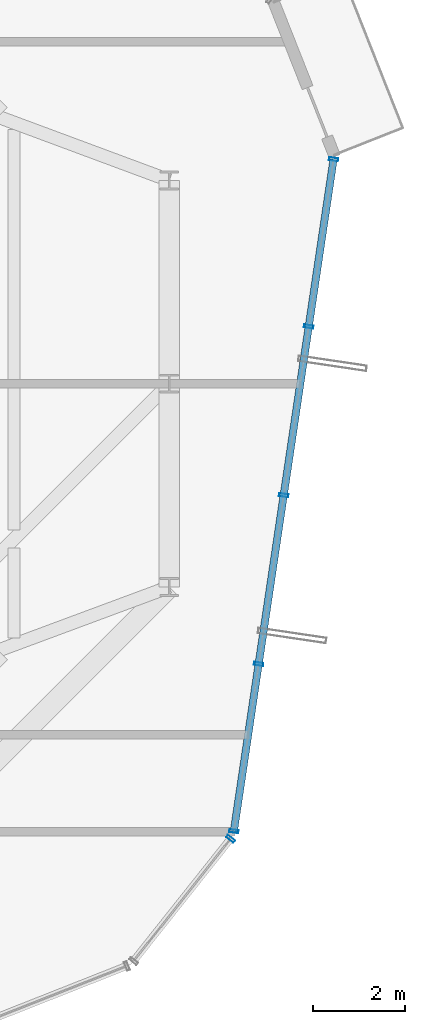
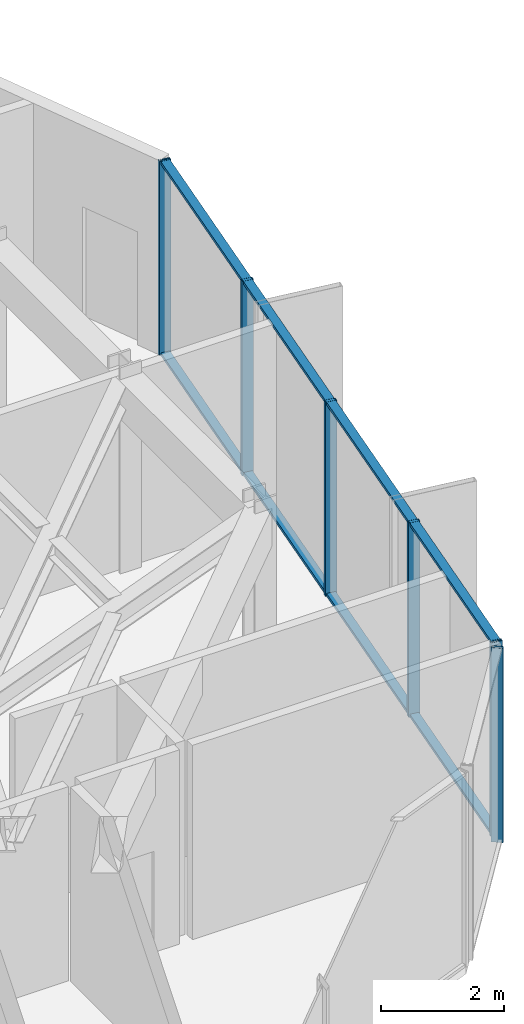
# One storey, part 13 of 22: 8 members, 2 elements without a shape of their own.
"""IFC4 building model written with IfcOpenShell, lengths in metres."""

from ifc_helpers import new_model, si_unit, direction, frame, origin, origin_2d, place, context, subcontext, project, spatial, hollow_rectangle, extrude, source, transform, mapped, material, layer, layer_set, material_profile, profile_set, type_object, element, aggregate, save


model = new_model("IFC4")

# Units and contexts
model_context = context("Model", 3, precision=1e-05, world=origin(), true_north=direction((0.0, 1.0)))
body_context = subcontext(model_context, "Body", "Model", "MODEL_VIEW")
ifc_project = project(units=[si_unit("LENGTHUNIT", "METRE"), si_unit("AREAUNIT", "SQUARE_METRE"), si_unit("VOLUMEUNIT", "CUBIC_METRE"), si_unit("PLANEANGLEUNIT", "RADIAN"), si_unit("MASSUNIT", "GRAM", prefix="KILO")], contexts=[model_context])

# Site, building, storey
site_placement = place(None, origin())
site = spatial("IfcSite", under=ifc_project, at=site_placement, CompositionType="ELEMENT")
building_placement = place(site_placement, origin())
building = spatial("IfcBuilding", under=site, at=building_placement, Name="Veraguas Prism Commons", CompositionType="ELEMENT")
storey_placement = place(building_placement, frame((0.0, 0.0, 236.550048828125)))
storey = spatial("IfcBuildingStorey", under=building, at=storey_placement, Name="L67", CompositionType="ELEMENT", Elevation=236.550048828125)

# Curtain wall, members
ifc_material = material(Name="Anodised aluminium EN AW-6063 T6", Category="aluminium")
ifc_layer = layer(ifc_material, 0.199951171875, Name="Sky Lobby and Pool Acoustic Curtain Wall", Category="aluminium")
ifc_layer_set = layer_set([ifc_layer], Name="Anodised aluminium EN AW-6063 T6")
curtain_wall_type = type_object("IfcCurtainWallType", Name="Sky Lobby and Pool Acoustic Curtain Wall", PredefinedType="NOTDEFINED", material=ifc_layer_set)
curtain_wall_1_placement = place(storey_placement, origin())
curtain_wall_1 = element("IfcCurtainWall", 1, at=curtain_wall_1_placement, inside=storey, type_object=curtain_wall_type, Name="Tower Facade Curtain Wall L67-F6", PredefinedType="NOTDEFINED")
ifc_material_profile_1 = material_profile(ifc_material, hollow_rectangle(XDim=0.06494140625, YDim=0.199951171875, WallThickness=0.00390625, at=origin_2d()), Name="AL65X200X4")
ifc_profile_set_1 = profile_set([ifc_material_profile_1], Name="Anodised aluminium EN AW-6063 T6")
member_type_1 = type_object("IfcMemberType", Name="Curtain Wall Mullion Heavy AL 65x200x4", PredefinedType="MULLION", material=ifc_profile_set_1)
shared_shape_1 = source(origin(), body_context, "Body", "SweptSolid", [
    extrude(hollow_rectangle(XDim=0.06494140625, YDim=0.199951171875, WallThickness=0.00390625, at=origin_2d()), origin(), (0.0, 0.0, 1.0), 3.864990234375),
])
member_1_placement = place(storey_placement, frame((39.197265625, 14.31396484375, 0.0), z_axis=(0.0, 0.0, 1.0), x_axis=(0.146773635283, 0.989170106698, 0.0)))
member_1 = element("IfcMember", 2, at=member_1_placement, type_object=member_type_1, Name="CW-SKY Mullion 1", PredefinedType="MULLION", context=body_context, shape_type="MappedRepresentation", body=[
    mapped(shared_shape_1, transform((0.0, 0.0, 0.0), scale=1.0)),
])
member_2_placement = place(storey_placement, frame((39.734375, 17.933349609375, 0.0), z_axis=(0.0, 0.0, 1.0), x_axis=(0.146773635283, 0.989170106698, 0.0)))
member_2 = element("IfcMember", 3, at=member_2_placement, type_object=member_type_1, Name="CW-SKY Mullion 2", PredefinedType="MULLION", context=body_context, shape_type="MappedRepresentation", body=[
    mapped(shared_shape_1, transform((0.0, 0.0, 0.0), scale=1.0)),
])
member_3_placement = place(storey_placement, frame((40.2763671875, 21.5849609375, 0.0), z_axis=(0.0, 0.0, 1.0), x_axis=(0.146773635283, 0.989170106698, 0.0)))
member_3 = element("IfcMember", 4, at=member_3_placement, type_object=member_type_1, Name="CW-SKY Mullion 3", PredefinedType="MULLION", context=body_context, shape_type="MappedRepresentation", body=[
    mapped(shared_shape_1, transform((0.0, 0.0, 0.0), scale=1.0)),
])
member_4_placement = place(storey_placement, frame((40.818115234375, 25.236572265625, 0.0), z_axis=(0.0, 0.0, 1.0), x_axis=(0.146773635283, 0.989170106698, 0.0)))
member_4 = element("IfcMember", 5, at=member_4_placement, type_object=member_type_1, Name="CW-SKY Mullion 4", PredefinedType="MULLION", context=body_context, shape_type="MappedRepresentation", body=[
    mapped(shared_shape_1, transform((0.0, 0.0, 0.0), scale=1.0)),
])
member_5_placement = place(storey_placement, frame((41.355224609375, 28.85595703125, 0.0), z_axis=(0.0, 0.0, 1.0), x_axis=(0.146773635283, 0.989170106698, 0.0)))
member_5 = element("IfcMember", 6, at=member_5_placement, type_object=member_type_1, Name="CW-SKY Mullion 5", PredefinedType="MULLION", context=body_context, shape_type="MappedRepresentation", body=[
    mapped(shared_shape_1, transform((0.0, 0.0, 0.0), scale=1.0)),
])

# Curtain wall, member
curtain_wall_2_placement = place(storey_placement, origin())
curtain_wall_2 = element("IfcCurtainWall", 7, at=curtain_wall_2_placement, inside=storey, type_object=curtain_wall_type, Name="Chamfer Curtain Wall L67-C6", PredefinedType="NOTDEFINED")
member_6_placement = place(storey_placement, frame((39.126220703125, 14.14990234375, 0.0), z_axis=(0.0, 0.0, 1.0), x_axis=(0.621707053447, 0.783249857769, 0.0)))
member_6 = element("IfcMember", 8, at=member_6_placement, type_object=member_type_1, Name="CW-SKY Mullion 2", PredefinedType="MULLION", context=body_context, shape_type="MappedRepresentation", body=[
    mapped(shared_shape_1, transform((0.0, 0.0, 0.0), scale=1.0)),
])
aggregate(curtain_wall_2, [member_6])

# Member
ifc_material_profile_2 = material_profile(ifc_material, hollow_rectangle(XDim=0.06005859375, YDim=0.159912109375, WallThickness=0.0029296875, at=origin_2d()), Name="AL60X160X3")
ifc_profile_set_2 = profile_set([ifc_material_profile_2], Name="Anodised aluminium EN AW-6063 T6")
member_type_2 = type_object("IfcMemberType", Name="Curtain Wall Transom Heavy AL 60x160x3", PredefinedType="USERDEFINED", material=ifc_profile_set_2)
shared_shape_2 = source(origin(), body_context, "Body", "SweptSolid", [
    extrude(hollow_rectangle(XDim=0.06005859375, YDim=0.159912109375, WallThickness=0.0029296875, at=origin_2d()), origin(), (0.0, 0.0, 1.0), 14.701171875),
])
member_7_placement = place(storey_placement, frame((39.197265625, 14.31396484375, 0.030029296875), z_axis=(0.14678759426, 0.989168035357, 0.0), x_axis=(0.0, 0.0, 1.0)))
member_7 = element("IfcMember", 9, at=member_7_placement, type_object=member_type_2, Name="CW-SKY Transom 1", ObjectType="TRANSOM", PredefinedType="USERDEFINED", context=body_context, shape_type="MappedRepresentation", body=[
    mapped(shared_shape_2, transform((0.0, 0.0, 0.0), scale=1.0)),
])

member_8_placement = place(storey_placement, frame((39.197265625, 14.31396484375, 3.8349609375), z_axis=(0.14678759426, 0.989168035357, 0.0), x_axis=(0.0, 0.0, 1.0)))
member_8 = element("IfcMember", 10, at=member_8_placement, type_object=member_type_2, Name="CW-SKY Transom 2", ObjectType="TRANSOM", PredefinedType="USERDEFINED", context=body_context, shape_type="MappedRepresentation", body=[
    mapped(shared_shape_2, transform((0.0, 0.0, 0.0), scale=1.0)),
])

aggregate(curtain_wall_1, [member_1, member_2, member_3, member_4, member_5, member_7, member_8])

save(model, "model.ifc")
